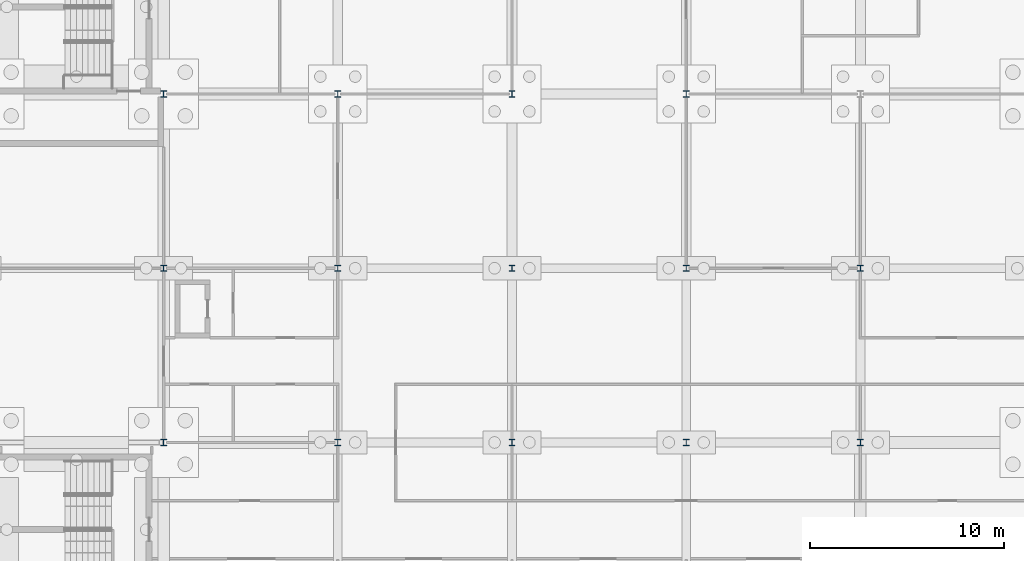
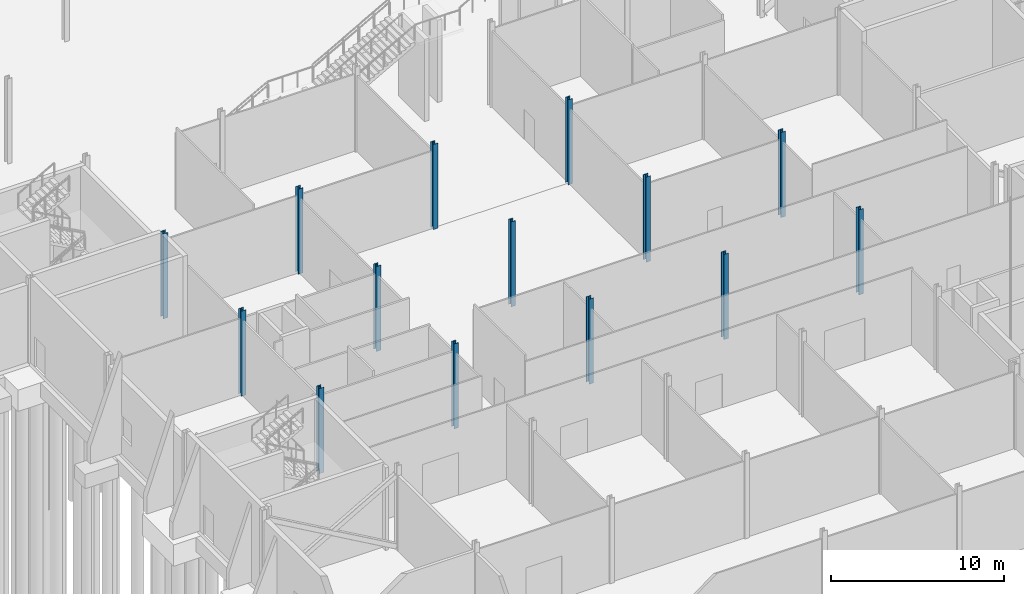
# One storey, part 21 of 139: 14 columns.
"""IFC4 building model written with IfcOpenShell, lengths in metres."""

import ifcopenshell
import ifcopenshell.guid

model = None  # the IFC model being written
_history = None  # IfcOwnerHistory: only IFC2X3 demands one
_inside = {}  # id of a spatial element -> (the spatial element, [elements in it])
_under = {}  # id of a project, library or spatial element -> (it, [spatial elements below it])
_declared = {}  # id of a project -> (the project, [libraries it declares])
_typed = {}  # id of a type object -> (the type object, [elements of that type])
_made_of = {}  # id of a material, layer set ... -> (it, [elements and type objects made of it])


def new_model(schema):
    """Start an empty IFC model of exactly this schema.

    Asked for "IFC4X3", IfcOpenShell would pick the latest addendum, in which some entities
    have other attributes; the version numbers below select the first issue.
    IFC2X3 requires an IfcOwnerHistory on every rooted entity: one is made here for all.
    """
    global model, _history
    if schema == "IFC4X3":
        model = ifcopenshell.file(schema_version=(4, 3, 0, 0))
    else:
        model = ifcopenshell.file(schema=schema)
    _inside.clear()
    _under.clear()
    _declared.clear()
    _typed.clear()
    _made_of.clear()
    _history = None
    if model.schema == "IFC2X3":
        org = make("IfcOrganization", Name="unknown")
        user = make(
            "IfcPersonAndOrganization",
            ThePerson=make("IfcPerson", FamilyName="unknown"),
            TheOrganization=org,
        )
        app = make(
            "IfcApplication",
            ApplicationDeveloper=org,
            Version="unknown",
            ApplicationFullName="unknown",
            ApplicationIdentifier="unknown",
        )
        _history = make(
            "IfcOwnerHistory",
            OwningUser=user,
            OwningApplication=app,
            ChangeAction="ADDED",
            CreationDate=0,
        )
    return model


def make(cls, **values):
    """One entity of the class cls with the attributes given. An attribute that is None is left unset."""
    return model.create_entity(
        cls, **{name: value for name, value in values.items() if value is not None}
    )


def rooted(cls, **values):
    """An entity with a GlobalId (a new one), such as an element, a storey or a relation."""
    return make(cls, GlobalId=ifcopenshell.guid.new(), OwnerHistory=_history, **values)


def si_unit(unit_type, name, prefix=None):
    """IfcSIUnit, for example si_unit("LENGTHUNIT", "METRE", prefix="MILLI")."""
    return make("IfcSIUnit", UnitType=unit_type, Prefix=prefix, Name=name)


def assignment(units):
    """IfcUnitAssignment: the units of a project."""
    return None if units is None else make("IfcUnitAssignment", Units=units)


def point(xyz):
    """IfcCartesianPoint."""
    return None if xyz is None else make("IfcCartesianPoint", Coordinates=xyz)


def direction(xyz):
    """IfcDirection."""
    return None if xyz is None else make("IfcDirection", DirectionRatios=xyz)


def frame(location, z_axis=None, x_axis=None):
    """IfcAxis2Placement3D, a coordinate frame: its origin and axes. An axis left out is left unset."""
    return make(
        "IfcAxis2Placement3D",
        Location=point(location),
        Axis=direction(z_axis),
        RefDirection=direction(x_axis),
    )


def frame_2d(location, x_axis=None):
    """IfcAxis2Placement2D, a coordinate frame in the plane: its origin and x axis."""
    return make(
        "IfcAxis2Placement2D", Location=point(location), RefDirection=direction(x_axis)
    )


def origin():
    """The frame at (0, 0, 0) with its axes left unset."""
    return frame((0.0, 0.0, 0.0))


def origin_2d():
    """The frame at (0, 0) in the plane with its x axis left unset."""
    return frame_2d((0.0, 0.0))


def place(relative_to, where):
    """IfcLocalPlacement: puts the frame where relative to a parent placement (None: the world)."""
    return make(
        "IfcLocalPlacement", PlacementRelTo=relative_to, RelativePlacement=where
    )


def context(
    kind, dimensions, precision=None, world=None, true_north=None, identifier=None
):
    """IfcGeometricRepresentationContext, for example the 3D "Model" context."""
    return make(
        "IfcGeometricRepresentationContext",
        ContextIdentifier=identifier,
        ContextType=kind,
        CoordinateSpaceDimension=dimensions,
        Precision=precision,
        WorldCoordinateSystem=world,
        TrueNorth=true_north,
    )


def subcontext(parent, identifier, kind, view, scale=None):
    """IfcGeometricRepresentationSubContext, for example "Body" below "Model"."""
    return make(
        "IfcGeometricRepresentationSubContext",
        ContextIdentifier=identifier,
        ContextType=kind,
        ParentContext=parent,
        TargetScale=scale,
        TargetView=view,
    )


def project(units=None, contexts=None):
    """IfcProject with its units and contexts."""
    return rooted(
        "IfcProject",
        Name="project",
        RepresentationContexts=contexts,
        UnitsInContext=assignment(units),
    )


def spatial(cls, under=None, at=None, **own):
    """A site, building, storey or space (cls), placed at a placement, below another one or the project."""
    s = rooted(cls, ObjectPlacement=at, **own)
    if under is not None:
        _under.setdefault(under.id(), (under, []))[1].append(s)
    return s


def profile(cls, at=None, kind="AREA", **sizes):
    """A parametric profile (cls). Its sizes go by their IFC names, for example OverallWidth=200.0."""
    return make(cls, ProfileType=kind, Position=at, **sizes)


def i_section(**sizes):
    """IfcIShapeProfileDef."""
    return profile("IfcIShapeProfileDef", **sizes)


def extrude(swept, where, along, depth):
    """IfcExtrudedAreaSolid: the profile swept, set in the frame where, extruded along a direction by depth."""
    return make(
        "IfcExtrudedAreaSolid",
        SweptArea=swept,
        Position=where,
        ExtrudedDirection=direction(along),
        Depth=depth,
    )


def shape(context_of_items, identifier, shape_type, items):
    """IfcShapeRepresentation: the items that make up one representation, for example the "Body"."""
    return make(
        "IfcShapeRepresentation",
        ContextOfItems=context_of_items,
        RepresentationIdentifier=identifier,
        RepresentationType=shape_type,
        Items=items,
    )


def material(Name=None, Category=None):
    """IfcMaterial."""
    return make("IfcMaterial", Name=Name, Category=Category)


def material_profile(
    of_material, cross_section, Name=None, Category=None, Priority=None
):
    """IfcMaterialProfile: a cross section and its material."""
    return make(
        "IfcMaterialProfile",
        Name=Name,
        Material=of_material,
        Profile=cross_section,
        Priority=Priority,
        Category=Category,
    )


def profile_set(profiles, Name=None, composite=None):
    """IfcMaterialProfileSet."""
    return make(
        "IfcMaterialProfileSet",
        Name=Name,
        MaterialProfiles=profiles,
        CompositeProfile=composite,
    )


def made_of(thing, what):
    """Note that an element or type object is made of a material, layer set ...; save() writes the relation."""
    if what is not None:
        _made_of.setdefault(what.id(), (what, []))[1].append(thing)
    return thing


def type_object(cls, material=None, **own):
    """A type object (cls), such as IfcWallType, which elements share."""
    return made_of(rooted(cls, **own), material)


def element(
    cls,
    number,
    at=None,
    inside=None,
    cuts=None,
    type_object=None,
    material=None,
    context=None,
    identifier="Body",
    shape_type=None,
    held_by="IfcProductDefinitionShape",
    body=None,
    shapes=None,
    **own,
):
    """One element of the class cls, such as IfcWall. Its Tag is "e" and its number.

    at: its placement. inside: the storey or other place that contains it. cuts: it is an
    opening in that element (IfcRelVoidsElement). A single representation is given by context,
    identifier, shape_type and body (its items); several are given by shapes. held_by: the class
    of the entity that holds the representations. save() writes the other relations.
    """
    e = rooted(cls, Tag="e%d" % number, ObjectPlacement=at, **own)
    if body is not None:
        shapes = [shape(context, identifier, shape_type, body)]
    if shapes is not None:
        e.Representation = make(held_by, Representations=shapes)
    if inside is not None:
        _inside.setdefault(inside.id(), (inside, []))[1].append(e)
    if cuts is not None:
        rooted(
            "IfcRelVoidsElement", RelatingBuildingElement=cuts, RelatedOpeningElement=e
        )
    if type_object is not None:
        _typed.setdefault(type_object.id(), (type_object, []))[1].append(e)
    return made_of(e, material)


def aggregate(whole, parts):
    """IfcRelAggregates: a whole, such as a stair, and the parts it consists of."""
    return rooted("IfcRelAggregates", RelatingObject=whole, RelatedObjects=parts)


def save(model, path):
    """Write the relations noted so far, then the file.

    IfcRelAggregates (storeys below a building ...), IfcRelContainedInSpatialStructure (elements
    in a storey), IfcRelDefinesByType, IfcRelAssociatesMaterial and IfcRelDeclares: one each for
    every whole, place, type object, material and project.
    """
    for whole, parts in _under.values():
        aggregate(whole, parts)
    for where, things in _inside.values():
        rooted(
            "IfcRelContainedInSpatialStructure",
            RelatedElements=things,
            RelatingStructure=where,
        )
    for kind, things in _typed.values():
        rooted("IfcRelDefinesByType", RelatedObjects=things, RelatingType=kind)
    for what, things in _made_of.values():
        rooted("IfcRelAssociatesMaterial", RelatedObjects=things, RelatingMaterial=what)
    for by, libraries in _declared.values():
        rooted("IfcRelDeclares", RelatingContext=by, RelatedDefinitions=libraries)
    model.write(path)


model = new_model("IFC4")

# Units and contexts
model_context = context("Model", 3, precision=1e-05, world=origin(), true_north=direction((0.0, 1.0)))
body_context = subcontext(model_context, "Body", "Model", "MODEL_VIEW")
ifc_project = project(units=[si_unit("LENGTHUNIT", "METRE"), si_unit("AREAUNIT", "SQUARE_METRE"), si_unit("VOLUMEUNIT", "CUBIC_METRE"), si_unit("PLANEANGLEUNIT", "RADIAN"), si_unit("MASSUNIT", "GRAM", prefix="KILO")], contexts=[model_context])

# Site, building, storey
site_placement = place(None, origin())
site = spatial("IfcSite", under=ifc_project, at=site_placement, CompositionType="ELEMENT")
building_placement = place(site_placement, origin())
building = spatial("IfcBuilding", under=site, at=building_placement, Name="Shorebreak Coast Museum", CompositionType="ELEMENT")
storey_placement = place(building_placement, origin())
storey = spatial("IfcBuildingStorey", under=building, at=storey_placement, Name="L00", CompositionType="ELEMENT", Elevation=0.0)

# Columns
ifc_material = material(Name="Steel Grade 300", Category="steel")
ifc_material_profile = material_profile(ifc_material, i_section(OverallWidth=0.30908203125, OverallDepth=0.320556640625, WebThickness=0.013916015625, FlangeThickness=0.021728515625, FilletRadius=0.0166015625, at=origin_2d()), Name="310UC137")
ifc_profile_set = profile_set([ifc_material_profile], Name="Steel Grade 300")
column_type = type_object("IfcColumnType", Name="Column 310UC137", PredefinedType="COLUMN", material=ifc_profile_set)
for number, where, z_axis, x_axis, name in (
    (1, (63.0, 36.0, 0.0), (0.0, 0.0, 1.0), (1.0, 0.0, 0.0), "Column L00 8E"),
    (2, (72.0, 36.0, 0.0), (0.0, 0.0, 1.0), (1.0, 0.0, 0.0), "Column L00 9E"),
    (3, (81.0, 36.0, 0.0), (0.0, 0.0, 1.0), (1.0, 0.0, 0.0), "Column L00 10E"),
    (4, (90.0, 36.0, 0.0), (0.0, 0.0, 1.0), (1.0, 0.0, 0.0), "Column L00 11E"),
    (5, (99.0, 36.0, 0.0), (0.0, 0.0, 1.0), (1.0, 0.0, 0.0), "Column L00 12E"),
    (6, (63.0, 45.0, 0.0), (0.0, 0.0, 1.0), (1.0, 0.0, 0.0), "Column L00 8F"),
    (7, (72.0, 45.0, 0.0), (0.0, 0.0, 1.0), (1.0, 0.0, 0.0), "Column L00 9F"),
    (8, (81.0, 45.0, 0.0), (0.0, 0.0, 1.0), (1.0, 0.0, 0.0), "Column L00 10F"),
    (9, (90.0, 45.0, 0.0), (0.0, 0.0, 1.0), (1.0, 0.0, 0.0), "Column L00 11F"),
    (10, (99.0, 45.0, 0.0), (0.0, 0.0, 1.0), (1.0, 0.0, 0.0), "Column L00 12F"),
    (11, (63.0, 54.0, 0.0), (0.0, 0.0, 1.0), (1.0, 0.0, 0.0), "Column L00 8G"),
    (12, (72.0, 54.0, 0.0), (0.0, 0.0, 1.0), (1.0, 0.0, 0.0), "Column L00 9G"),
    (13, (81.0, 54.0, 0.0), (0.0, 0.0, 1.0), (1.0, 0.0, 0.0), "Column L00 10G"),
    (14, (90.0, 54.0, 0.0), (0.0, 0.0, 1.0), (1.0, 0.0, 0.0), "Column L00 11G"),
):
    element("IfcColumn", number, at=place(storey_placement, frame(where, z_axis=z_axis, x_axis=x_axis)), inside=storey, type_object=column_type, Name=name, PredefinedType="COLUMN", context=body_context, shape_type="SweptSolid", body=[
        extrude(i_section(OverallWidth=0.30908203125, OverallDepth=0.320556640625, WebThickness=0.013916015625, FlangeThickness=0.021728515625, FilletRadius=0.0166015625, at=origin_2d()), origin(), (0.0, 0.0, 1.0), 6.0),
    ])

save(model, "model.ifc")
